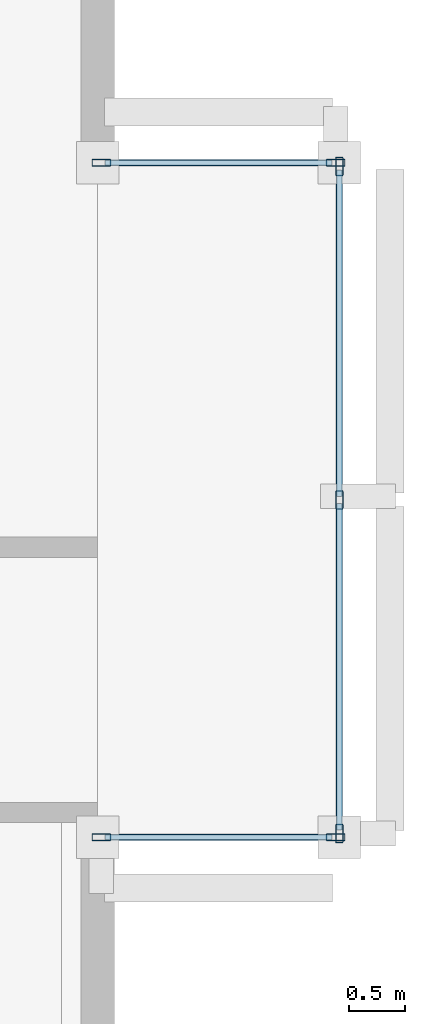
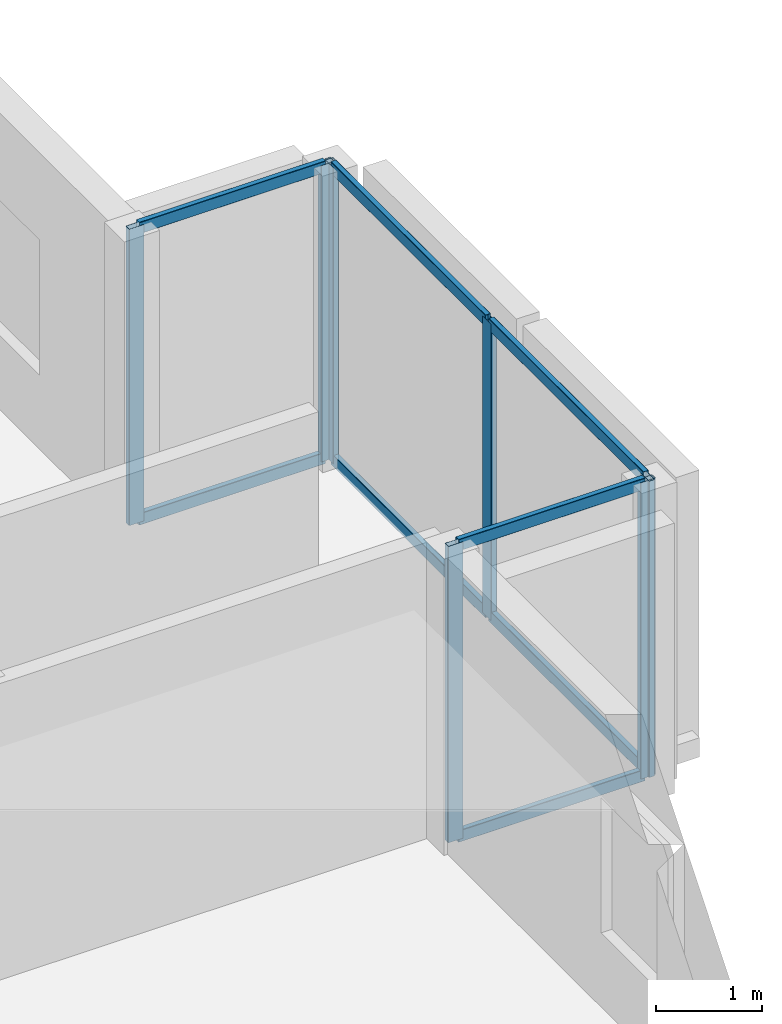
# One storey, part 4 of 14: 15 members, 3 elements without a shape of their own.
"""IFC4 building model written with IfcOpenShell, lengths in metres."""

from ifc_helpers import new_model, si_unit, direction, frame, origin, origin_2d, place, context, subcontext, project, spatial, hollow_rectangle, extrude, material, layer, layer_set, material_profile, profile_set, type_object, element, aggregate, save


model = new_model("IFC4")

# Units and contexts
model_context = context("Model", 3, precision=1e-05, world=origin(), true_north=direction((0.0, 1.0)))
body_context = subcontext(model_context, "Body", "Model", "MODEL_VIEW")
ifc_project = project(units=[si_unit("LENGTHUNIT", "METRE"), si_unit("AREAUNIT", "SQUARE_METRE"), si_unit("VOLUMEUNIT", "CUBIC_METRE"), si_unit("PLANEANGLEUNIT", "RADIAN"), si_unit("MASSUNIT", "GRAM", prefix="KILO")], contexts=[model_context])

# Site, building, storey
site_placement = place(None, origin())
site = spatial("IfcSite", under=ifc_project, at=site_placement, CompositionType="ELEMENT")
building_placement = place(site_placement, origin())
building = spatial("IfcBuilding", under=site, at=building_placement, Name="An Khanh Terracotta Commons", CompositionType="ELEMENT")
storey_placement = place(building_placement, frame((0.0, 0.0, 115.10009765625)))
storey = spatial("IfcBuildingStorey", under=building, at=storey_placement, Name="L30", CompositionType="ELEMENT", Elevation=115.10009765625)

# Curtain wall, members
ifc_material = material(Name="Anodised Aluminium 6063-T6", Category="aluminium")
ifc_layer = layer(ifc_material, 0.239990234375, Name="Anodised Aluminium 6063-T6")
ifc_layer_set = layer_set([ifc_layer], Name="Anodised Aluminium 6063-T6")
curtain_wall_type = type_object("IfcCurtainWallType", Name="CW-SYS-04", PredefinedType="USERDEFINED", material=ifc_layer_set)
curtain_wall_1_placement = place(storey_placement, origin())
curtain_wall_1 = element("IfcCurtainWall", 1, at=curtain_wall_1_placement, inside=storey, type_object=curtain_wall_type, Name="L30 CW-04 Unitised Curtain Wall CW-L30-EBOX-1", ObjectType="UNITISED CURTAIN WALL", PredefinedType="USERDEFINED")
ifc_material_profile_1 = material_profile(ifc_material, hollow_rectangle(XDim=0.06494140625, YDim=0.1650390625, WallThickness=0.00390625, InnerFilletRadius=0.00390625, OuterFilletRadius=0.008056640625, at=origin_2d()), Name="RHS165x65x4")
ifc_profile_set_1 = profile_set([ifc_material_profile_1], Name="Anodised Aluminium 6063-T6")
member_type_1 = type_object("IfcMemberType", Name="CWM-RHS165x65x4", PredefinedType="MULLION", material=ifc_profile_set_1)
member_1_placement = place(storey_placement, frame((59.550048828125, 22.632568359375, 0.0), z_axis=(0.0, 0.0, 1.0), x_axis=(-1.0, 0.0, 0.0)))
member_1 = element("IfcMember", 2, at=member_1_placement, type_object=member_type_1, Name="CW-04 mullion 1", PredefinedType="MULLION", context=body_context, shape_type="SweptSolid", body=[
    extrude(hollow_rectangle(XDim=0.06494140625, YDim=0.1650390625, WallThickness=0.00390625, InnerFilletRadius=0.00390625, OuterFilletRadius=0.008056640625, at=origin_2d()), origin(), (0.0, 0.0, 1.0), 3.39990234375),
])
member_2_placement = place(storey_placement, frame((59.550048828125, 25.60009765625, 0.0), z_axis=(0.0, 0.0, 1.0), x_axis=(-1.0, 0.0, 0.0)))
member_2 = element("IfcMember", 3, at=member_2_placement, type_object=member_type_1, Name="CW-04 mullion 2", PredefinedType="MULLION", context=body_context, shape_type="SweptSolid", body=[
    extrude(hollow_rectangle(XDim=0.06494140625, YDim=0.1650390625, WallThickness=0.00390625, InnerFilletRadius=0.00390625, OuterFilletRadius=0.008056640625, at=origin_2d()), origin(), (0.0, 0.0, 1.0), 3.39990234375),
])
member_3_placement = place(storey_placement, frame((59.550048828125, 28.5673828125, 0.0), z_axis=(0.0, 0.0, 1.0), x_axis=(-1.0, 0.0, 0.0)))
member_3 = element("IfcMember", 4, at=member_3_placement, type_object=member_type_1, Name="CW-04 mullion 3", PredefinedType="MULLION", context=body_context, shape_type="SweptSolid", body=[
    extrude(hollow_rectangle(XDim=0.06494140625, YDim=0.1650390625, WallThickness=0.00390625, InnerFilletRadius=0.00390625, OuterFilletRadius=0.008056640625, at=origin_2d()), origin(), (0.0, 0.0, 1.0), 3.39990234375),
])

curtain_wall_2_placement = place(storey_placement, origin())
curtain_wall_2 = element("IfcCurtainWall", 5, at=curtain_wall_2_placement, inside=storey, type_object=curtain_wall_type, Name="L30 CW-04 Unitised Curtain Wall CW-L30-EBOX-2", ObjectType="UNITISED CURTAIN WALL", PredefinedType="USERDEFINED")
member_4_placement = place(storey_placement, frame((57.4326171875, 22.60009765625, 0.0), z_axis=(0.0, 0.0, 1.0), x_axis=(0.0, 1.0, 0.0)))
member_4 = element("IfcMember", 6, at=member_4_placement, type_object=member_type_1, Name="CW-04 mullion 1", PredefinedType="MULLION", context=body_context, shape_type="SweptSolid", body=[
    extrude(hollow_rectangle(XDim=0.06494140625, YDim=0.1650390625, WallThickness=0.00390625, InnerFilletRadius=0.00390625, OuterFilletRadius=0.008056640625, at=origin_2d()), origin(), (0.0, 0.0, 1.0), 3.39990234375),
])
member_5_placement = place(storey_placement, frame((59.517578125, 22.60009765625, 0.0), z_axis=(0.0, 0.0, 1.0), x_axis=(0.0, 1.0, 0.0)))
member_5 = element("IfcMember", 7, at=member_5_placement, type_object=member_type_1, Name="CW-04 mullion 2", PredefinedType="MULLION", context=body_context, shape_type="SweptSolid", body=[
    extrude(hollow_rectangle(XDim=0.06494140625, YDim=0.1650390625, WallThickness=0.00390625, InnerFilletRadius=0.00390625, OuterFilletRadius=0.008056640625, at=origin_2d()), origin(), (0.0, 0.0, 1.0), 3.39990234375),
])

curtain_wall_3_placement = place(storey_placement, origin())
curtain_wall_3 = element("IfcCurtainWall", 8, at=curtain_wall_3_placement, inside=storey, type_object=curtain_wall_type, Name="L30 CW-04 Unitised Curtain Wall CW-L30-EBOX-3", ObjectType="UNITISED CURTAIN WALL", PredefinedType="USERDEFINED")
member_6_placement = place(storey_placement, frame((59.517578125, 28.60009765625, 0.0), z_axis=(0.0, 0.0, 1.0), x_axis=(0.0, -1.0, 0.0)))
member_6 = element("IfcMember", 9, at=member_6_placement, type_object=member_type_1, Name="CW-04 mullion 1", PredefinedType="MULLION", context=body_context, shape_type="SweptSolid", body=[
    extrude(hollow_rectangle(XDim=0.06494140625, YDim=0.1650390625, WallThickness=0.00390625, InnerFilletRadius=0.00390625, OuterFilletRadius=0.008056640625, at=origin_2d()), origin(), (0.0, 0.0, 1.0), 3.39990234375),
])
member_7_placement = place(storey_placement, frame((57.4326171875, 28.60009765625, 0.0), z_axis=(0.0, 0.0, 1.0), x_axis=(0.0, -1.0, 0.0)))
member_7 = element("IfcMember", 10, at=member_7_placement, type_object=member_type_1, Name="CW-04 mullion 2", PredefinedType="MULLION", context=body_context, shape_type="SweptSolid", body=[
    extrude(hollow_rectangle(XDim=0.06494140625, YDim=0.1650390625, WallThickness=0.00390625, InnerFilletRadius=0.00390625, OuterFilletRadius=0.008056640625, at=origin_2d()), origin(), (0.0, 0.0, 1.0), 3.39990234375),
])

# Member
ifc_material_profile_2 = material_profile(ifc_material, hollow_rectangle(XDim=0.06005859375, YDim=0.135009765625, WallThickness=0.003662109375, InnerFilletRadius=0.003662109375, OuterFilletRadius=0.007080078125, at=origin_2d()), Name="RHS135x60x3.6")
ifc_profile_set_2 = profile_set([ifc_material_profile_2], Name="Anodised Aluminium 6063-T6")
member_type_2 = type_object("IfcMemberType", Name="CWT-RHS135x60x3.6", PredefinedType="USERDEFINED", material=ifc_profile_set_2)
member_8_placement = place(storey_placement, frame((59.550048828125, 22.6650390625, 0.02978515625), z_axis=(0.0, 1.0, 0.0), x_axis=(-1.0, 0.0, 0.0)))
member_8 = element("IfcMember", 11, at=member_8_placement, type_object=member_type_2, Name="CW-04 transom 1.1", ObjectType="TRANSOM", PredefinedType="USERDEFINED", context=body_context, shape_type="SweptSolid", body=[
    extrude(hollow_rectangle(XDim=0.06005859375, YDim=0.135009765625, WallThickness=0.003662109375, InnerFilletRadius=0.003662109375, OuterFilletRadius=0.007080078125, at=origin_2d()), origin(), (0.0, 0.0, 1.0), 2.90234375),
])

member_9_placement = place(storey_placement, frame((59.550048828125, 22.6650390625, 3.369873046875), z_axis=(0.0, 1.0, 0.0), x_axis=(-1.0, 0.0, 0.0)))
member_9 = element("IfcMember", 12, at=member_9_placement, type_object=member_type_2, Name="CW-04 transom 1.2", ObjectType="TRANSOM", PredefinedType="USERDEFINED", context=body_context, shape_type="SweptSolid", body=[
    extrude(hollow_rectangle(XDim=0.06005859375, YDim=0.135009765625, WallThickness=0.003662109375, InnerFilletRadius=0.003662109375, OuterFilletRadius=0.007080078125, at=origin_2d()), origin(), (0.0, 0.0, 1.0), 2.90234375),
])

member_10_placement = place(storey_placement, frame((59.550048828125, 25.632568359375, 0.02978515625), z_axis=(0.0, 1.0, 0.0), x_axis=(-1.0, 0.0, 0.0)))
member_10 = element("IfcMember", 13, at=member_10_placement, type_object=member_type_2, Name="CW-04 transom 2.1", ObjectType="TRANSOM", PredefinedType="USERDEFINED", context=body_context, shape_type="SweptSolid", body=[
    extrude(hollow_rectangle(XDim=0.06005859375, YDim=0.135009765625, WallThickness=0.003662109375, InnerFilletRadius=0.003662109375, OuterFilletRadius=0.007080078125, at=origin_2d()), origin(), (0.0, 0.0, 1.0), 2.90234375),
])

member_11_placement = place(storey_placement, frame((59.550048828125, 25.632568359375, 3.369873046875), z_axis=(0.0, 1.0, 0.0), x_axis=(-1.0, 0.0, 0.0)))
member_11 = element("IfcMember", 14, at=member_11_placement, type_object=member_type_2, Name="CW-04 transom 2.2", ObjectType="TRANSOM", PredefinedType="USERDEFINED", context=body_context, shape_type="SweptSolid", body=[
    extrude(hollow_rectangle(XDim=0.06005859375, YDim=0.135009765625, WallThickness=0.003662109375, InnerFilletRadius=0.003662109375, OuterFilletRadius=0.007080078125, at=origin_2d()), origin(), (0.0, 0.0, 1.0), 2.90234375),
])

aggregate(curtain_wall_1, [member_1, member_2, member_3, member_8, member_9, member_10, member_11])

member_12_placement = place(storey_placement, frame((57.465087890625, 22.60009765625, 0.02978515625), z_axis=(1.0, 0.0, 0.0), x_axis=(0.0, 1.0, 0.0)))
member_12 = element("IfcMember", 15, at=member_12_placement, type_object=member_type_2, Name="CW-04 transom 1.1", ObjectType="TRANSOM", PredefinedType="USERDEFINED", context=body_context, shape_type="SweptSolid", body=[
    extrude(hollow_rectangle(XDim=0.06005859375, YDim=0.135009765625, WallThickness=0.003662109375, InnerFilletRadius=0.003662109375, OuterFilletRadius=0.007080078125, at=origin_2d()), origin(), (0.0, 0.0, 1.0), 2.02001953125),
])

member_13_placement = place(storey_placement, frame((57.465087890625, 22.60009765625, 3.369873046875), z_axis=(1.0, 0.0, 0.0), x_axis=(0.0, 1.0, 0.0)))
member_13 = element("IfcMember", 16, at=member_13_placement, type_object=member_type_2, Name="CW-04 transom 1.2", ObjectType="TRANSOM", PredefinedType="USERDEFINED", context=body_context, shape_type="SweptSolid", body=[
    extrude(hollow_rectangle(XDim=0.06005859375, YDim=0.135009765625, WallThickness=0.003662109375, InnerFilletRadius=0.003662109375, OuterFilletRadius=0.007080078125, at=origin_2d()), origin(), (0.0, 0.0, 1.0), 2.02001953125),
])

aggregate(curtain_wall_2, [member_4, member_5, member_12, member_13])

member_14_placement = place(storey_placement, frame((59.485107421875, 28.60009765625, 0.02978515625), z_axis=(-1.0, 0.0, 0.0), x_axis=(0.0, -1.0, 0.0)))
member_14 = element("IfcMember", 17, at=member_14_placement, type_object=member_type_2, Name="CW-04 transom 1.1", ObjectType="TRANSOM", PredefinedType="USERDEFINED", context=body_context, shape_type="SweptSolid", body=[
    extrude(hollow_rectangle(XDim=0.06005859375, YDim=0.135009765625, WallThickness=0.003662109375, InnerFilletRadius=0.003662109375, OuterFilletRadius=0.007080078125, at=origin_2d()), origin(), (0.0, 0.0, 1.0), 2.02001953125),
])

member_15_placement = place(storey_placement, frame((59.485107421875, 28.60009765625, 3.369873046875), z_axis=(-1.0, 0.0, 0.0), x_axis=(0.0, -1.0, 0.0)))
member_15 = element("IfcMember", 18, at=member_15_placement, type_object=member_type_2, Name="CW-04 transom 1.2", ObjectType="TRANSOM", PredefinedType="USERDEFINED", context=body_context, shape_type="SweptSolid", body=[
    extrude(hollow_rectangle(XDim=0.06005859375, YDim=0.135009765625, WallThickness=0.003662109375, InnerFilletRadius=0.003662109375, OuterFilletRadius=0.007080078125, at=origin_2d()), origin(), (0.0, 0.0, 1.0), 2.02001953125),
])

aggregate(curtain_wall_3, [member_6, member_7, member_14, member_15])

save(model, "model.ifc")
